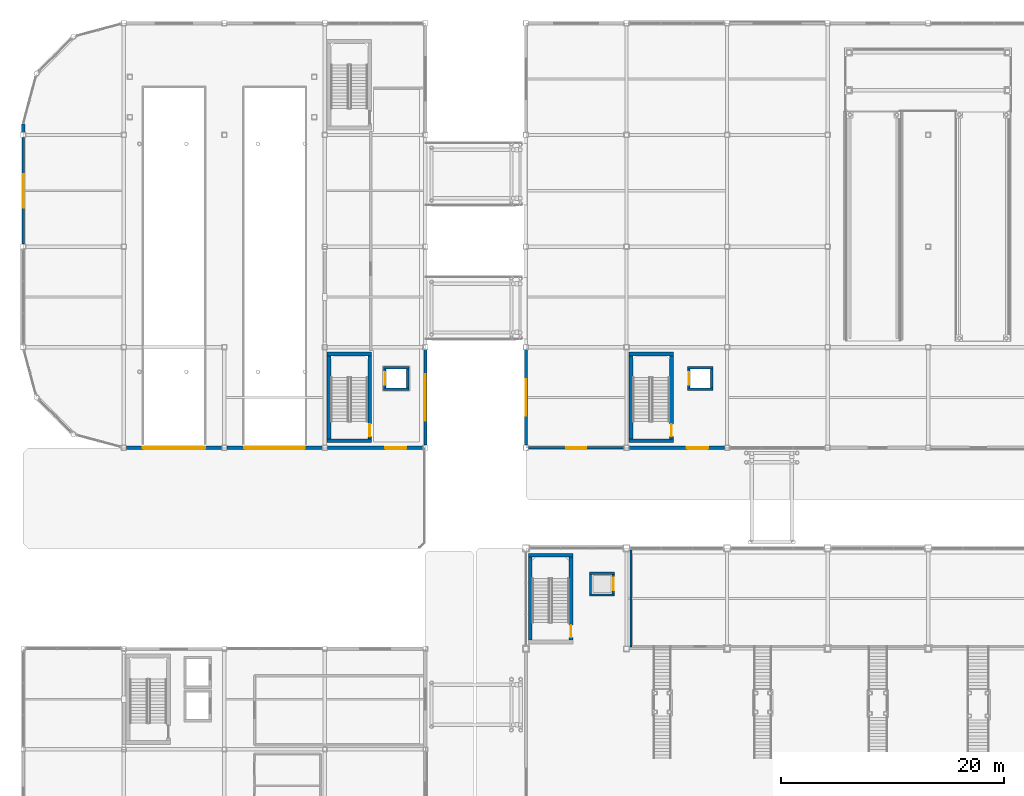
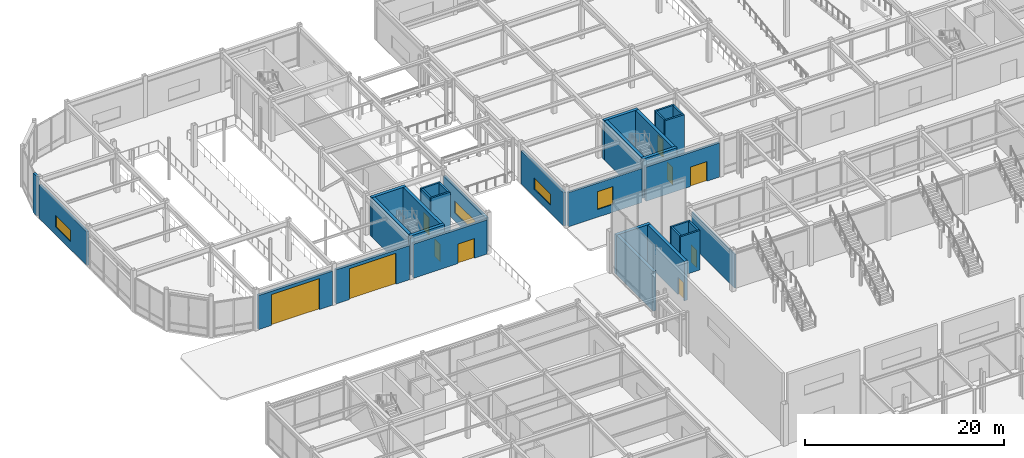
# One storey, part 87 of 123: 33 walls, 10 doors, 4 windows, 14 openings.
"""IFC4 building model written with IfcOpenShell, lengths in metres."""

from ifc_helpers import new_model, si_unit, direction, frame, frame_2d, origin, place, context, subcontext, project, spatial, rectangle, extrude, material, layer, layer_set, type_object, element, fill, save


model = new_model("IFC4")

# Units and contexts
model_context = context("Model", 3, precision=1e-05, world=origin(), true_north=direction((0.0, 1.0)))
body_context = subcontext(model_context, "Body", "Model", "MODEL_VIEW")
ifc_project = project(units=[si_unit("LENGTHUNIT", "METRE"), si_unit("AREAUNIT", "SQUARE_METRE"), si_unit("VOLUMEUNIT", "CUBIC_METRE"), si_unit("PLANEANGLEUNIT", "RADIAN"), si_unit("MASSUNIT", "GRAM", prefix="KILO")], contexts=[model_context])

# Site, building, storey
site_placement = place(None, origin())
site = spatial("IfcSite", under=ifc_project, at=site_placement, CompositionType="ELEMENT")
building_placement = place(site_placement, origin())
building = spatial("IfcBuilding", under=site, at=building_placement, Name="Suzunagisa Mobility Hub", CompositionType="ELEMENT")
storey_placement = place(building_placement, origin())
storey = spatial("IfcBuildingStorey", under=building, at=storey_placement, Name="L00", CompositionType="ELEMENT", Elevation=0.0)

# Wall, opening, window
ifc_material_1 = material(Name="Porcelain-Faced Insulated Concrete C30/37 Wall", Category="concrete")
ifc_layer_1 = layer(ifc_material_1, 0.260009765625)
ifc_layer_set_1 = layer_set([ifc_layer_1], Name="Porcelain-Faced Insulated Concrete C30/37 Wall")
wall_type_1 = type_object("IfcWallType", Name="Exterior Wall EW-03 260mm", PredefinedType="SOLIDWALL", material=ifc_layer_set_1)
wall_1_placement = place(storey_placement, frame((0.0, 107.77490234375, 0.0), z_axis=(0.0, 0.0, 1.0), x_axis=(0.0, -1.0, 0.0)))
wall_1 = element("IfcWall", 1, at=wall_1_placement, inside=storey, type_object=wall_type_1, Name="L00 Exterior Facade Wall EW-106", PredefinedType="SOLIDWALL", context=body_context, shape_type="SweptSolid", body=[
    extrude(rectangle(XDim=9.5498046875, YDim=0.260009765625, at=frame_2d((4.77490234375, 0.0))), origin(), (0.0, 0.0, 1.0), 4.139892578125),
])
opening_1_placement = place(wall_1_placement, frame((3.27490234375, 0.0, 0.949951171875)))
opening_1 = element("IfcOpeningElement", 2, at=opening_1_placement, cuts=wall_1, Name="Opening WN-09", PredefinedType="OPENING", context=body_context, shape_type="SweptSolid", body=[
    extrude(rectangle(XDim=3.0, YDim=1.39990234375, at=frame_2d((1.5, 0.699951171875))), frame((0.0, 0.14111328125, 0.0), z_axis=(0.0, -1.0, 0.0), x_axis=(1.0, 0.0, 0.0)), (0.0, 0.0, 1.0), 0.281982421875),
])
ifc_material_2 = material(Name="Thermally Broken Anodized Aluminum and Low-E Double Glazing", Category="aluminium")
window_type_1 = type_object("IfcWindowType", Name="Aluminum Window WN-09 3000x1400", PartitioningType="SINGLE_PANEL", PredefinedType="WINDOW", material=ifc_material_2)
window_1_placement = place(opening_1_placement, origin())
window_1 = element("IfcWindow", 3, at=window_1_placement, inside=storey, type_object=window_type_1, Name="L00 Scheduled Facade Window WN-29", OverallHeight=1.39990234375, OverallWidth=3.0, PartitioningType="SINGLE_PANEL", PredefinedType="WINDOW", context=body_context, shape_type="SweptSolid", body=[
    extrude(rectangle(XDim=3.0, YDim=1.39990234375, at=frame_2d((1.5, 0.699951171875))), frame((0.0, 0.030029296875, 0.0), z_axis=(0.0, -1.0, 0.0), x_axis=(1.0, 0.0, 0.0)), (0.0, 0.0, 1.0), 0.06005859375),
])
fill(opening_1, window_1)

wall_2_placement = place(storey_placement, frame((45.22509765625, 80.0, 0.0), z_axis=(0.0, 0.0, 1.0), x_axis=(1.0, 0.0, 0.0)))
wall_2 = element("IfcWall", 4, at=wall_2_placement, inside=storey, type_object=wall_type_1, Name="L00 Exterior Facade Wall EW-162", PredefinedType="SOLIDWALL", context=body_context, shape_type="SweptSolid", body=[
    extrude(rectangle(XDim=8.5498046875, YDim=0.260009765625, at=frame_2d((4.27490234375, 0.0))), origin(), (0.0, 0.0, 1.0), 4.18994140625),
])
opening_2_placement = place(wall_2_placement, frame((3.375, 0.0, 0.949951171875)))
opening_2 = element("IfcOpeningElement", 5, at=opening_2_placement, cuts=wall_2, Name="Opening WN-13", PredefinedType="OPENING", context=body_context, shape_type="SweptSolid", body=[
    extrude(rectangle(XDim=1.800048828125, YDim=2.199951171875, at=frame_2d((0.89990234375, 1.10009765625))), frame((0.0, 0.14111328125, 0.0), z_axis=(0.0, -1.0, 0.0), x_axis=(1.0, 0.0, 0.0)), (0.0, 0.0, 1.0), 0.281982421875),
])
window_type_2 = type_object("IfcWindowType", Name="Aluminum Window WN-13 1800x2200", PartitioningType="SINGLE_PANEL", PredefinedType="WINDOW", material=ifc_material_2)
window_2_placement = place(opening_2_placement, origin())
window_2 = element("IfcWindow", 6, at=window_2_placement, inside=storey, type_object=window_type_2, Name="L00 Scheduled Facade Window WN-39", OverallHeight=2.199951171875, OverallWidth=1.800048828125, PartitioningType="SINGLE_PANEL", PredefinedType="WINDOW", context=body_context, shape_type="SweptSolid", body=[
    extrude(rectangle(XDim=1.800048828125, YDim=2.199951171875, at=frame_2d((0.89990234375, 1.10009765625))), frame((0.0, 0.030029296875, 0.0), z_axis=(0.0, -1.0, 0.0), x_axis=(1.0, 0.0, 0.0)), (0.0, 0.0, 1.0), 0.06005859375),
])
fill(opening_2, window_2)

wall_3_placement = place(storey_placement, frame((45.0, 88.77490234375, 0.0), z_axis=(0.0, 0.0, 1.0), x_axis=(0.0, -1.0, 0.0)))
wall_3 = element("IfcWall", 7, at=wall_3_placement, inside=storey, type_object=wall_type_1, Name="L00 Exterior Facade Wall EW-178", PredefinedType="SOLIDWALL", context=body_context, shape_type="SweptSolid", body=[
    extrude(rectangle(XDim=8.5498046875, YDim=0.260009765625, at=frame_2d((4.27490234375, 0.0))), origin(), (0.0, 0.0, 1.0), 4.090087890625),
])
opening_3_placement = place(wall_3_placement, frame((2.625, 0.0, 0.949951171875)))
opening_3 = element("IfcOpeningElement", 8, at=opening_3_placement, cuts=wall_3, Name="Opening WN-19", PredefinedType="OPENING", context=body_context, shape_type="SweptSolid", body=[
    extrude(rectangle(XDim=3.300048828125, YDim=1.39990234375, at=frame_2d((1.64990234375, 0.699951171875))), frame((0.0, 0.14111328125, 0.0), z_axis=(0.0, -1.0, 0.0), x_axis=(1.0, 0.0, 0.0)), (0.0, 0.0, 1.0), 0.281982421875),
])
window_type_3 = type_object("IfcWindowType", Name="Aluminum Window WN-19 3300x1400", PartitioningType="SINGLE_PANEL", PredefinedType="WINDOW", material=ifc_material_2)
window_3_placement = place(opening_3_placement, origin())
window_3 = element("IfcWindow", 9, at=window_3_placement, inside=storey, type_object=window_type_3, Name="L00 Scheduled Facade Window WN-52", OverallHeight=1.39990234375, OverallWidth=3.300048828125, PartitioningType="SINGLE_PANEL", PredefinedType="WINDOW", context=body_context, shape_type="SweptSolid", body=[
    extrude(rectangle(XDim=3.300048828125, YDim=1.39990234375, at=frame_2d((1.64990234375, 0.699951171875))), frame((0.0, 0.030029296875, 0.0), z_axis=(0.0, -1.0, 0.0), x_axis=(1.0, 0.0, 0.0)), (0.0, 0.0, 1.0), 0.06005859375),
])
fill(opening_3, window_3)

# Wall, opening, door
ifc_material_3 = material(Name="Insulated Precast Concrete C35/45 Panel", Category="concrete")
ifc_layer_2 = layer(ifc_material_3, 0.320068359375)
ifc_layer_set_2 = layer_set([ifc_layer_2], Name="Insulated Precast Concrete C35/45 Panel")
wall_type_2 = type_object("IfcWallType", Name="Exterior Wall EW-07 320mm", PredefinedType="SOLIDWALL", material=ifc_layer_set_2)
wall_4_placement = place(storey_placement, frame((9.22509765625, 80.0, 0.0), z_axis=(0.0, 0.0, 1.0), x_axis=(1.0, 0.0, 0.0)))
wall_4 = element("IfcWall", 10, at=wall_4_placement, inside=storey, type_object=wall_type_2, Name="L00 Vehicle Ramp Portal Wall 98", PredefinedType="SOLIDWALL", context=body_context, shape_type="SweptSolid", body=[
    extrude(rectangle(XDim=8.5498046875, YDim=0.320068359375, at=frame_2d((4.27490234375, 0.0))), origin(), (0.0, 0.0, 1.0), 4.18994140625),
])
opening_4_placement = place(wall_4_placement, frame((7.0751953125, 0.0, 0.0), z_axis=(0.0, 0.0, 1.0), x_axis=(-1.0, 0.0, 0.0)))
opening_4 = element("IfcOpeningElement", 11, at=opening_4_placement, cuts=wall_4, Name="Opening VG-01", PredefinedType="OPENING", context=body_context, shape_type="SweptSolid", body=[
    extrude(rectangle(XDim=5.60009765625, YDim=3.800048828125, at=frame_2d((2.800048828125, 1.89990234375))), frame((0.0, 0.1708984375, 0.0), z_axis=(0.0, -1.0, 0.0), x_axis=(1.0, 0.0, 0.0)), (0.0, 0.0, 1.0), 0.342041015625),
])
ifc_material_4 = material(Name="Motorized Anodized Aluminum Insulated Roller Shutter", Category="aluminium")
door_type_1 = type_object("IfcDoorType", Name="Vehicle Ramp Portal Roller Shutter VG-01 5600x3800", OperationType="ROLLINGUP", PredefinedType="DOOR", material=ifc_material_4)
door_1_placement = place(opening_4_placement, origin())
door_1 = element("IfcDoor", 12, at=door_1_placement, inside=storey, type_object=door_type_1, Name="Vehicle Ramp Grade Portal Roller Shutter VG-01", OperationType="SINGLE_SWING_LEFT", OverallHeight=3.800048828125, OverallWidth=5.60009765625, PredefinedType="DOOR", context=body_context, shape_type="SweptSolid", body=[
    extrude(rectangle(XDim=5.60009765625, YDim=3.800048828125, at=frame_2d((2.800048828125, 1.89990234375))), frame((0.0, 0.02490234375, 0.0), z_axis=(0.0, -1.0, 0.0), x_axis=(1.0, 0.0, 0.0)), (0.0, 0.0, 1.0), 0.050048828125),
])
fill(opening_4, door_1)

wall_5_placement = place(storey_placement, frame((18.22509765625, 80.0, 0.0), z_axis=(0.0, 0.0, 1.0), x_axis=(1.0, 0.0, 0.0)))
wall_5 = element("IfcWall", 13, at=wall_5_placement, inside=storey, type_object=wall_type_2, Name="L00 Vehicle Ramp Portal Wall 99", PredefinedType="SOLIDWALL", context=body_context, shape_type="SweptSolid", body=[
    extrude(rectangle(XDim=8.5498046875, YDim=0.320068359375, at=frame_2d((4.27490234375, 0.0))), origin(), (0.0, 0.0, 1.0), 4.18994140625),
])
opening_5_placement = place(wall_5_placement, frame((6.974853515625, 0.0, 0.0), z_axis=(0.0, 0.0, 1.0), x_axis=(-1.0, 0.0, 0.0)))
opening_5 = element("IfcOpeningElement", 14, at=opening_5_placement, cuts=wall_5, Name="Opening VG-02", PredefinedType="OPENING", context=body_context, shape_type="SweptSolid", body=[
    extrude(rectangle(XDim=5.39990234375, YDim=3.800048828125, at=frame_2d((2.699951171875, 1.89990234375))), frame((0.0, 0.1708984375, 0.0), z_axis=(0.0, -1.0, 0.0), x_axis=(1.0, 0.0, 0.0)), (0.0, 0.0, 1.0), 0.342041015625),
])
door_type_2 = type_object("IfcDoorType", Name="Vehicle Ramp Portal Roller Shutter VG-02 5400x3800", OperationType="ROLLINGUP", PredefinedType="DOOR", material=ifc_material_4)
door_2_placement = place(opening_5_placement, origin())
door_2 = element("IfcDoor", 15, at=door_2_placement, inside=storey, type_object=door_type_2, Name="Vehicle Ramp Grade Portal Roller Shutter VG-02", OperationType="SINGLE_SWING_LEFT", OverallHeight=3.800048828125, OverallWidth=5.39990234375, PredefinedType="DOOR", context=body_context, shape_type="SweptSolid", body=[
    extrude(rectangle(XDim=5.39990234375, YDim=3.800048828125, at=frame_2d((2.699951171875, 1.89990234375))), frame((0.0, 0.02490234375, 0.0), z_axis=(0.0, -1.0, 0.0), x_axis=(1.0, 0.0, 0.0)), (0.0, 0.0, 1.0), 0.050048828125),
])
fill(opening_5, door_2)

# Wall, opening, window
ifc_layer_3 = layer(ifc_material_1, 0.280029296875)
ifc_layer_set_3 = layer_set([ifc_layer_3], Name="Porcelain-Faced Insulated Concrete C30/37 Wall")
wall_type_3 = type_object("IfcWallType", Name="Exterior Wall EW-08 280mm", PredefinedType="SOLIDWALL", material=ifc_layer_set_3)
wall_6_placement = place(storey_placement, frame((36.0, 80.22509765625, 0.0), z_axis=(0.0, 0.0, 1.0), x_axis=(0.0, 1.0, 0.0)))
wall_6 = element("IfcWall", 16, at=wall_6_placement, inside=storey, type_object=wall_type_3, Name="L00 Exterior Facade Wall EW-101", PredefinedType="SOLIDWALL", context=body_context, shape_type="SweptSolid", body=[
    extrude(rectangle(XDim=8.5498046875, YDim=0.280029296875, at=frame_2d((4.27490234375, 0.0))), origin(), (0.0, 0.0, 1.0), 4.139892578125),
])
opening_6_placement = place(wall_6_placement, frame((2.175048828125, 0.0, 0.949951171875)))
opening_6 = element("IfcOpeningElement", 17, at=opening_6_placement, cuts=wall_6, Name="Opening WN-22", PredefinedType="OPENING", context=body_context, shape_type="SweptSolid", body=[
    extrude(rectangle(XDim=4.199951171875, YDim=1.5, at=frame_2d((2.10009765625, 0.75))), frame((0.0, 0.15087890625, 0.0), z_axis=(0.0, -1.0, 0.0), x_axis=(1.0, 0.0, 0.0)), (0.0, 0.0, 1.0), 0.302001953125),
])
window_type_4 = type_object("IfcWindowType", Name="Aluminum Window WN-22 4200x1500", PartitioningType="SINGLE_PANEL", PredefinedType="WINDOW", material=ifc_material_2)
window_4_placement = place(opening_6_placement, origin())
window_4 = element("IfcWindow", 18, at=window_4_placement, inside=storey, type_object=window_type_4, Name="L00 Scheduled Facade Window WN-25", OverallHeight=1.5, OverallWidth=4.199951171875, PartitioningType="SINGLE_PANEL", PredefinedType="WINDOW", context=body_context, shape_type="SweptSolid", body=[
    extrude(rectangle(XDim=4.199951171875, YDim=1.5, at=frame_2d((2.10009765625, 0.75))), frame((0.0, 0.030029296875, 0.0), z_axis=(0.0, -1.0, 0.0), x_axis=(1.0, 0.0, 0.0)), (0.0, 0.0, 1.0), 0.06005859375),
])
fill(opening_6, window_4)

# Wall
wall_7_placement = place(storey_placement, frame((0.0, 109.0, 0.0), z_axis=(0.0, 0.0, 1.0), x_axis=(0.0, -1.0, 0.0)))
element("IfcWall", 19, at=wall_7_placement, inside=storey, type_object=wall_type_3, Name="L00 Exterior Facade Wall EW-105", PredefinedType="SOLIDWALL", context=body_context, shape_type="SweptSolid", body=[
    extrude(rectangle(XDim=0.77490234375, YDim=0.280029296875, at=frame_2d((0.387451171875, 0.0))), origin(), (0.0, 0.0, 1.0), 4.840087890625),
])

# Wall, opening, door
ifc_layer_4 = layer(ifc_material_3, 0.300048828125)
ifc_layer_set_4 = layer_set([ifc_layer_4], Name="Insulated Precast Concrete C35/45 Panel")
wall_type_4 = type_object("IfcWallType", Name="Exterior Wall EW-09 300mm", PredefinedType="SOLIDWALL", material=ifc_layer_set_4)
wall_8_placement = place(storey_placement, frame((27.22509765625, 80.0, 0.0), z_axis=(0.0, 0.0, 1.0), x_axis=(1.0, 0.0, 0.0)))
wall_8 = element("IfcWall", 20, at=wall_8_placement, inside=storey, type_object=wall_type_4, Name="L00 Entrance Portal Wall 100", PredefinedType="SOLIDWALL", context=body_context, shape_type="SweptSolid", body=[
    extrude(rectangle(XDim=8.5498046875, YDim=0.300048828125, at=frame_2d((4.27490234375, 0.0))), origin(), (0.0, 0.0, 1.0), 4.18994140625),
])
opening_7_placement = place(wall_8_placement, frame((7.074951171875, 0.0, 0.0), z_axis=(0.0, 0.0, 1.0), x_axis=(-1.0, 0.0, 0.0)))
opening_7 = element("IfcOpeningElement", 21, at=opening_7_placement, cuts=wall_8, Name="Opening ED-07", PredefinedType="OPENING", context=body_context, shape_type="SweptSolid", body=[
    extrude(rectangle(XDim=1.89990234375, YDim=2.39990234375, at=frame_2d((0.949951171875, 1.199951171875))), frame((0.0, 0.1611328125, 0.0), z_axis=(0.0, -1.0, 0.0), x_axis=(1.0, 0.0, 0.0)), (0.0, 0.0, 1.0), 0.322021484375),
])
ifc_material_5 = material(Name="Anodized Aluminum and Tempered Safety Glass", Category="aluminium")
door_type_3 = type_object("IfcDoorType", Name="Exterior Glazed Aluminum Door ED-07 1900x2400", OperationType="DOUBLE_DOOR_SINGLE_SWING", PredefinedType="DOOR", material=ifc_material_5)
door_3_placement = place(opening_7_placement, origin())
door_3 = element("IfcDoor", 22, at=door_3_placement, inside=storey, type_object=door_type_3, Name="L00 Pedestrian Final Exit Door EX-17", OperationType="SINGLE_SWING_LEFT", OverallHeight=2.39990234375, OverallWidth=1.89990234375, PredefinedType="DOOR", context=body_context, shape_type="SweptSolid", body=[
    extrude(rectangle(XDim=1.89990234375, YDim=2.39990234375, at=frame_2d((0.949951171875, 1.199951171875))), frame((0.0, 0.02490234375, 0.0), z_axis=(0.0, -1.0, 0.0), x_axis=(1.0, 0.0, 0.0)), (0.0, 0.0, 1.0), 0.050048828125),
])
fill(opening_7, door_3)

wall_9_placement = place(storey_placement, frame((54.22509765625, 80.0, 0.0), z_axis=(0.0, 0.0, 1.0), x_axis=(1.0, 0.0, 0.0)))
wall_9 = element("IfcWall", 23, at=wall_9_placement, inside=storey, type_object=wall_type_4, Name="L00 Entrance Portal Wall 163", PredefinedType="SOLIDWALL", context=body_context, shape_type="SweptSolid", body=[
    extrude(rectangle(XDim=8.5498046875, YDim=0.300048828125, at=frame_2d((4.27490234375, 0.0))), origin(), (0.0, 0.0, 1.0), 4.18994140625),
])
opening_8_placement = place(wall_9_placement, frame((7.074951171875, 0.0, 0.0), z_axis=(0.0, 0.0, 1.0), x_axis=(-1.0, 0.0, 0.0)))
opening_8 = element("IfcOpeningElement", 24, at=opening_8_placement, cuts=wall_9, Name="Opening ED-07", PredefinedType="OPENING", context=body_context, shape_type="SweptSolid", body=[
    extrude(rectangle(XDim=1.89990234375, YDim=2.39990234375, at=frame_2d((0.949951171875, 1.199951171875))), frame((0.0, 0.1611328125, 0.0), z_axis=(0.0, -1.0, 0.0), x_axis=(1.0, 0.0, 0.0)), (0.0, 0.0, 1.0), 0.322021484375),
])
door_4_placement = place(opening_8_placement, origin())
door_4 = element("IfcDoor", 25, at=door_4_placement, inside=storey, type_object=door_type_3, Name="L00 Pedestrian Final Exit Door EX-18", OperationType="SINGLE_SWING_LEFT", OverallHeight=2.39990234375, OverallWidth=1.89990234375, PredefinedType="DOOR", context=body_context, shape_type="SweptSolid", body=[
    extrude(rectangle(XDim=1.89990234375, YDim=2.39990234375, at=frame_2d((0.949951171875, 1.199951171875))), frame((0.0, 0.02490234375, 0.0), z_axis=(0.0, -1.0, 0.0), x_axis=(1.0, 0.0, 0.0)), (0.0, 0.0, 1.0), 0.050048828125),
])
fill(opening_8, door_4)

ifc_material_6 = material(Name="Fire-Rated Gypsum Stud Partition", Category="gypsum")
ifc_layer_5 = layer(ifc_material_6, 0.2099609375)
ifc_layer_set_5 = layer_set([ifc_layer_5], Name="Fire-Rated Gypsum Stud Partition")
wall_type_5 = type_object("IfcWallType", Name="Interior Wall IW-03 210mm", PredefinedType="PARTITIONING", material=ifc_layer_set_5)
wall_10_placement = place(storey_placement, frame((52.824951171875, 66.929931640625, 0.0), z_axis=(0.0, 0.0, 1.0), x_axis=(0.0, 1.0, 0.0)))
wall_10 = element("IfcWall", 26, at=wall_10_placement, inside=storey, type_object=wall_type_5, Name="L00 Lift LF-03 Shaft Front Wall", PredefinedType="PARTITIONING", context=body_context, shape_type="SweptSolid", body=[
    extrude(rectangle(XDim=1.739990234375, YDim=0.2099609375, at=frame_2d((0.8701171875, 0.0))), origin(), (0.0, 0.0, 1.0), 4.85009765625),
])
opening_9_placement = place(wall_10_placement, frame((0.320068359375, 0.0, 0.0)))
opening_9 = element("IfcOpeningElement", 27, at=opening_9_placement, cuts=wall_10, Name="Opening LD-01", PredefinedType="OPENING", context=body_context, shape_type="SweptSolid", body=[
    extrude(rectangle(XDim=1.10009765625, YDim=2.14990234375, at=frame_2d((0.550048828125, 1.074951171875))), frame((0.0, 0.115966796875, 0.0), z_axis=(0.0, -1.0, 0.0), x_axis=(1.0, 0.0, 0.0)), (0.0, 0.0, 1.0), 0.23193359375),
])
ifc_material_7 = material(Name="Brushed Stainless Steel SUS304", Category="metal")
door_type_4 = type_object("IfcDoorType", Name="Lift Landing Sliding Door LD-01 1100x2150", OperationType="SLIDING_TO_LEFT", PredefinedType="DOOR", material=ifc_material_7)
door_5_placement = place(opening_9_placement, origin())
door_5 = element("IfcDoor", 28, at=door_5_placement, inside=storey, type_object=door_type_4, Name="L00 Lift LF-03 Sliding Landing Door", OperationType="SLIDING_TO_LEFT", OverallHeight=2.14990234375, OverallWidth=1.10009765625, PredefinedType="DOOR", context=body_context, shape_type="SweptSolid", body=[
    extrude(rectangle(XDim=1.10009765625, YDim=2.14990234375, at=frame_2d((0.550048828125, 1.074951171875))), frame((0.0, 0.02490234375, 0.0), z_axis=(0.0, -1.0, 0.0), x_axis=(1.0, 0.0, 0.0)), (0.0, 0.0, 1.0), 0.050048828125),
])
fill(opening_9, door_5)

# Walls
wall_11_placement = place(storey_placement, frame((50.77490234375, 66.929931640625, 0.0), z_axis=(0.0, 0.0, 1.0), x_axis=(0.0, 1.0, 0.0)))
element("IfcWall", 29, at=wall_11_placement, inside=storey, type_object=wall_type_5, Name="L00 Lift LF-03 Shaft Back Wall", PredefinedType="PARTITIONING", context=body_context, shape_type="SweptSolid", body=[
    extrude(rectangle(XDim=1.739990234375, YDim=0.2099609375, at=frame_2d((0.8701171875, 0.0))), origin(), (0.0, 0.0, 1.0), 4.85009765625),
])
for number, where, z_axis, x_axis, name in (
    (30, (50.669921875, 66.824951171875, 0.0), (0.0, 0.0, 1.0), (1.0, 0.0, 0.0), "L00 Lift LF-03 Shaft South Wall"),
    (31, (50.669921875, 68.77490234375, 0.0), (0.0, 0.0, 1.0), (1.0, 0.0, 0.0), "L00 Lift LF-03 Shaft North Wall"),
):
    element("IfcWall", number, at=place(storey_placement, frame(where, z_axis=z_axis, x_axis=x_axis)), inside=storey, type_object=wall_type_5, Name=name, PredefinedType="PARTITIONING", context=body_context, shape_type="SweptSolid", body=[
        extrude(rectangle(XDim=2.260009765625, YDim=0.2099609375, at=frame_2d((1.1298828125, 0.0))), origin(), (0.0, 0.0, 1.0), 4.85009765625),
    ])

# Wall, opening, door
wall_12_placement = place(storey_placement, frame((32.375, 85.330078125, 0.0), z_axis=(0.0, 0.0, 1.0), x_axis=(0.0, 1.0, 0.0)))
wall_12 = element("IfcWall", 32, at=wall_12_placement, inside=storey, type_object=wall_type_5, Name="L00 Lift LF-09 Shaft Front Wall", PredefinedType="PARTITIONING", context=body_context, shape_type="SweptSolid", body=[
    extrude(rectangle(XDim=1.739990234375, YDim=0.2099609375, at=frame_2d((0.8701171875, 0.0))), origin(), (0.0, 0.0, 1.0), 4.840087890625),
])
opening_10_placement = place(wall_12_placement, frame((0.320068359375, 0.0, 0.0)))
opening_10 = element("IfcOpeningElement", 33, at=opening_10_placement, cuts=wall_12, Name="Opening LD-01", PredefinedType="OPENING", context=body_context, shape_type="SweptSolid", body=[
    extrude(rectangle(XDim=1.10009765625, YDim=2.14990234375, at=frame_2d((0.550048828125, 1.074951171875))), frame((0.0, 0.115966796875, 0.0), z_axis=(0.0, -1.0, 0.0), x_axis=(1.0, 0.0, 0.0)), (0.0, 0.0, 1.0), 0.23193359375),
])
door_6_placement = place(opening_10_placement, origin())
door_6 = element("IfcDoor", 34, at=door_6_placement, inside=storey, type_object=door_type_4, Name="L00 Lift LF-09 Sliding Landing Door", OperationType="SLIDING_TO_LEFT", OverallHeight=2.14990234375, OverallWidth=1.10009765625, PredefinedType="DOOR", context=body_context, shape_type="SweptSolid", body=[
    extrude(rectangle(XDim=1.10009765625, YDim=2.14990234375, at=frame_2d((0.550048828125, 1.074951171875))), frame((0.0, 0.02490234375, 0.0), z_axis=(0.0, -1.0, 0.0), x_axis=(1.0, 0.0, 0.0)), (0.0, 0.0, 1.0), 0.050048828125),
])
fill(opening_10, door_6)

# Walls
wall_13_placement = place(storey_placement, frame((34.425048828125, 85.330078125, 0.0), z_axis=(0.0, 0.0, 1.0), x_axis=(0.0, 1.0, 0.0)))
element("IfcWall", 35, at=wall_13_placement, inside=storey, type_object=wall_type_5, Name="L00 Lift LF-09 Shaft Back Wall", PredefinedType="PARTITIONING", context=body_context, shape_type="SweptSolid", body=[
    extrude(rectangle(XDim=1.739990234375, YDim=0.2099609375, at=frame_2d((0.8701171875, 0.0))), origin(), (0.0, 0.0, 1.0), 4.840087890625),
])
for number, where, z_axis, x_axis, name in (
    (36, (32.27001953125, 85.22509765625, 0.0), (0.0, 0.0, 1.0), (1.0, 0.0, 0.0), "L00 Lift LF-09 Shaft South Wall"),
    (37, (32.27001953125, 87.175048828125, 0.0), (0.0, 0.0, 1.0), (1.0, 0.0, 0.0), "L00 Lift LF-09 Shaft North Wall"),
):
    element("IfcWall", number, at=place(storey_placement, frame(where, z_axis=z_axis, x_axis=x_axis)), inside=storey, type_object=wall_type_5, Name=name, PredefinedType="PARTITIONING", context=body_context, shape_type="SweptSolid", body=[
        extrude(rectangle(XDim=2.260009765625, YDim=0.2099609375, at=frame_2d((1.1298828125, 0.0))), origin(), (0.0, 0.0, 1.0), 4.840087890625),
    ])

# Wall, opening, door
wall_14_placement = place(storey_placement, frame((59.574951171875, 85.330078125, 0.0), z_axis=(0.0, 0.0, 1.0), x_axis=(0.0, 1.0, 0.0)))
wall_14 = element("IfcWall", 38, at=wall_14_placement, inside=storey, type_object=wall_type_5, Name="L00 Lift LF-04 Shaft Front Wall", PredefinedType="PARTITIONING", context=body_context, shape_type="SweptSolid", body=[
    extrude(rectangle(XDim=1.739990234375, YDim=0.2099609375, at=frame_2d((0.8701171875, 0.0))), origin(), (0.0, 0.0, 1.0), 4.840087890625),
])
opening_11_placement = place(wall_14_placement, frame((0.320068359375, 0.0, 0.0)))
opening_11 = element("IfcOpeningElement", 39, at=opening_11_placement, cuts=wall_14, Name="Opening LD-01", PredefinedType="OPENING", context=body_context, shape_type="SweptSolid", body=[
    extrude(rectangle(XDim=1.10009765625, YDim=2.14990234375, at=frame_2d((0.550048828125, 1.074951171875))), frame((0.0, 0.115966796875, 0.0), z_axis=(0.0, -1.0, 0.0), x_axis=(1.0, 0.0, 0.0)), (0.0, 0.0, 1.0), 0.23193359375),
])
door_7_placement = place(opening_11_placement, origin())
door_7 = element("IfcDoor", 40, at=door_7_placement, inside=storey, type_object=door_type_4, Name="L00 Lift LF-04 Sliding Landing Door", OperationType="SLIDING_TO_LEFT", OverallHeight=2.14990234375, OverallWidth=1.10009765625, PredefinedType="DOOR", context=body_context, shape_type="SweptSolid", body=[
    extrude(rectangle(XDim=1.10009765625, YDim=2.14990234375, at=frame_2d((0.550048828125, 1.074951171875))), frame((0.0, 0.02490234375, 0.0), z_axis=(0.0, -1.0, 0.0), x_axis=(1.0, 0.0, 0.0)), (0.0, 0.0, 1.0), 0.050048828125),
])
fill(opening_11, door_7)

# Walls
wall_15_placement = place(storey_placement, frame((61.625, 85.330078125, 0.0), z_axis=(0.0, 0.0, 1.0), x_axis=(0.0, 1.0, 0.0)))
element("IfcWall", 41, at=wall_15_placement, inside=storey, type_object=wall_type_5, Name="L00 Lift LF-04 Shaft Back Wall", PredefinedType="PARTITIONING", context=body_context, shape_type="SweptSolid", body=[
    extrude(rectangle(XDim=1.739990234375, YDim=0.2099609375, at=frame_2d((0.8701171875, 0.0))), origin(), (0.0, 0.0, 1.0), 4.840087890625),
])
for number, where, z_axis, x_axis, name in (
    (42, (59.469970703125, 85.22509765625, 0.0), (0.0, 0.0, 1.0), (1.0, 0.0, 0.0), "L00 Lift LF-04 Shaft South Wall"),
    (43, (59.469970703125, 87.175048828125, 0.0), (0.0, 0.0, 1.0), (1.0, 0.0, 0.0), "L00 Lift LF-04 Shaft North Wall"),
):
    element("IfcWall", number, at=place(storey_placement, frame(where, z_axis=z_axis, x_axis=x_axis)), inside=storey, type_object=wall_type_5, Name=name, PredefinedType="PARTITIONING", context=body_context, shape_type="SweptSolid", body=[
        extrude(rectangle(XDim=2.260009765625, YDim=0.2099609375, at=frame_2d((1.1298828125, 0.0))), origin(), (0.0, 0.0, 1.0), 4.840087890625),
    ])
ifc_material_8 = material(Name="Concrete C35/45", Category="concrete")
ifc_layer_6 = layer(ifc_material_8, 0.35009765625)
ifc_layer_set_6 = layer_set([ifc_layer_6], Name="Concrete C35/45")
wall_type_6 = type_object("IfcWallType", Name="Interior Wall IW-04 350mm", PredefinedType="SHEAR", material=ifc_layer_set_6)
wall_16_placement = place(storey_placement, frame((45.2099609375, 70.375, 0.0), z_axis=(0.0, 0.0, 1.0), x_axis=(1.0, 0.0, 0.0)))
element("IfcWall", 44, at=wall_16_placement, inside=storey, type_object=wall_type_6, Name="L00 Core C2 Shear Wall SW-82", PredefinedType="SHEAR", context=body_context, shape_type="SweptSolid", body=[
    extrude(rectangle(XDim=3.97998046875, YDim=0.35009765625, at=frame_2d((1.989990234375, 0.0))), origin(), (0.0, 0.0, 1.0), 4.85009765625),
])
wall_17_placement = place(storey_placement, frame((45.385009765625, 62.800048828125, 0.0), z_axis=(0.0, 0.0, 1.0), x_axis=(0.0, 1.0, 0.0)))
element("IfcWall", 45, at=wall_17_placement, inside=storey, type_object=wall_type_6, Name="L00 Core C2 Shear Wall SW-83", PredefinedType="SHEAR", context=body_context, shape_type="SweptSolid", body=[
    extrude(rectangle(XDim=7.39990234375, YDim=0.35009765625, at=frame_2d((3.699951171875, 0.0))), origin(), (0.0, 0.0, 1.0), 4.85009765625),
])

# Wall, opening, door
wall_18_placement = place(storey_placement, frame((49.014892578125, 62.800048828125, 0.0), z_axis=(0.0, 0.0, 1.0), x_axis=(0.0, 1.0, 0.0)))
wall_18 = element("IfcWall", 46, at=wall_18_placement, inside=storey, type_object=wall_type_6, Name="L00 Core C2 Shear Wall SW-84", PredefinedType="SHEAR", context=body_context, shape_type="SweptSolid", body=[
    extrude(rectangle(XDim=7.39990234375, YDim=0.35009765625, at=frame_2d((3.699951171875, 0.0))), origin(), (0.0, 0.0, 1.0), 4.85009765625),
])
opening_12_placement = place(wall_18_placement, frame((0.219970703125, 0.0, 0.0)))
opening_12 = element("IfcOpeningElement", 47, at=opening_12_placement, cuts=wall_18, Name="Opening DR-05", PredefinedType="OPENING", context=body_context, shape_type="SweptSolid", body=[
    extrude(rectangle(XDim=1.10009765625, YDim=2.14990234375, at=frame_2d((0.550048828125, 1.074951171875))), frame((0.0, 0.18603515625, 0.0), z_axis=(0.0, -1.0, 0.0), x_axis=(1.0, 0.0, 0.0)), (0.0, 0.0, 1.0), 0.3720703125),
])
ifc_material_9 = material(Name="Fire-Rated Hollow Steel Stair Door", Category="steel")
door_type_5 = type_object("IfcDoorType", Name="Interior Door DR-05 1100x2150", OperationType="SINGLE_SWING_LEFT", PredefinedType="DOOR", material=ifc_material_9)
door_8_placement = place(opening_12_placement, origin())
door_8 = element("IfcDoor", 48, at=door_8_placement, inside=storey, type_object=door_type_5, Name="L00 Core C2 Escape Stair Fire Door SD-20", OperationType="SINGLE_SWING_LEFT", OverallHeight=2.14990234375, OverallWidth=1.10009765625, PredefinedType="DOOR", context=body_context, shape_type="SweptSolid", body=[
    extrude(rectangle(XDim=1.10009765625, YDim=2.14990234375, at=frame_2d((0.550048828125, 1.074951171875))), frame((0.0, 0.02490234375, 0.0), z_axis=(0.0, -1.0, 0.0), x_axis=(1.0, 0.0, 0.0)), (0.0, 0.0, 1.0), 0.050048828125),
])
fill(opening_12, door_8)

# Walls
for number, where, z_axis, x_axis, name in (
    (49, (27.2099609375, 80.625, 0.0), (0.0, 0.0, 1.0), (1.0, 0.0, 0.0), "L00 Core C6 Shear Wall SW-117"),
    (50, (27.2099609375, 88.375, 0.0), (0.0, 0.0, 1.0), (1.0, 0.0, 0.0), "L00 Core C6 Shear Wall SW-118"),
):
    element("IfcWall", number, at=place(storey_placement, frame(where, z_axis=z_axis, x_axis=x_axis)), inside=storey, type_object=wall_type_6, Name=name, PredefinedType="SHEAR", context=body_context, shape_type="SweptSolid", body=[
        extrude(rectangle(XDim=3.97998046875, YDim=0.35009765625, at=frame_2d((1.989990234375, 0.0))), origin(), (0.0, 0.0, 1.0), 4.840087890625),
    ])
wall_19_placement = place(storey_placement, frame((27.385009765625, 80.800048828125, 0.0), z_axis=(0.0, 0.0, 1.0), x_axis=(0.0, 1.0, 0.0)))
element("IfcWall", 51, at=wall_19_placement, inside=storey, type_object=wall_type_6, Name="L00 Core C6 Shear Wall SW-119", PredefinedType="SHEAR", context=body_context, shape_type="SweptSolid", body=[
    extrude(rectangle(XDim=7.39990234375, YDim=0.35009765625, at=frame_2d((3.699951171875, 0.0))), origin(), (0.0, 0.0, 1.0), 4.840087890625),
])

# Wall, opening, door
wall_20_placement = place(storey_placement, frame((31.014892578125, 80.800048828125, 0.0), z_axis=(0.0, 0.0, 1.0), x_axis=(0.0, 1.0, 0.0)))
wall_20 = element("IfcWall", 52, at=wall_20_placement, inside=storey, type_object=wall_type_6, Name="L00 Core C6 Shear Wall SW-120", PredefinedType="SHEAR", context=body_context, shape_type="SweptSolid", body=[
    extrude(rectangle(XDim=7.39990234375, YDim=0.35009765625, at=frame_2d((3.699951171875, 0.0))), origin(), (0.0, 0.0, 1.0), 4.840087890625),
])
opening_13_placement = place(wall_20_placement, frame((0.219970703125, 0.0, 0.0)))
opening_13 = element("IfcOpeningElement", 53, at=opening_13_placement, cuts=wall_20, Name="Opening DR-05", PredefinedType="OPENING", context=body_context, shape_type="SweptSolid", body=[
    extrude(rectangle(XDim=1.10009765625, YDim=2.14990234375, at=frame_2d((0.550048828125, 1.074951171875))), frame((0.0, 0.18603515625, 0.0), z_axis=(0.0, -1.0, 0.0), x_axis=(1.0, 0.0, 0.0)), (0.0, 0.0, 1.0), 0.3720703125),
])
door_9_placement = place(opening_13_placement, origin())
door_9 = element("IfcDoor", 54, at=door_9_placement, inside=storey, type_object=door_type_5, Name="L00 Core C6 Escape Stair Fire Door SD-28", OperationType="SINGLE_SWING_RIGHT", OverallHeight=2.14990234375, OverallWidth=1.10009765625, PredefinedType="DOOR", context=body_context, shape_type="SweptSolid", body=[
    extrude(rectangle(XDim=1.10009765625, YDim=2.14990234375, at=frame_2d((0.550048828125, 1.074951171875))), frame((0.0, 0.02490234375, 0.0), z_axis=(0.0, -1.0, 0.0), x_axis=(1.0, 0.0, 0.0)), (0.0, 0.0, 1.0), 0.050048828125),
])
fill(opening_13, door_9)

# Walls
for number, where, z_axis, x_axis, name in (
    (55, (54.2099609375, 80.625, 0.0), (0.0, 0.0, 1.0), (1.0, 0.0, 0.0), "L00 Core C3 Shear Wall SW-189"),
    (56, (54.2099609375, 88.375, 0.0), (0.0, 0.0, 1.0), (1.0, 0.0, 0.0), "L00 Core C3 Shear Wall SW-190"),
):
    element("IfcWall", number, at=place(storey_placement, frame(where, z_axis=z_axis, x_axis=x_axis)), inside=storey, type_object=wall_type_6, Name=name, PredefinedType="SHEAR", context=body_context, shape_type="SweptSolid", body=[
        extrude(rectangle(XDim=3.97998046875, YDim=0.35009765625, at=frame_2d((1.989990234375, 0.0))), origin(), (0.0, 0.0, 1.0), 4.840087890625),
    ])
wall_21_placement = place(storey_placement, frame((54.385009765625, 80.800048828125, 0.0), z_axis=(0.0, 0.0, 1.0), x_axis=(0.0, 1.0, 0.0)))
element("IfcWall", 57, at=wall_21_placement, inside=storey, type_object=wall_type_6, Name="L00 Core C3 Shear Wall SW-191", PredefinedType="SHEAR", context=body_context, shape_type="SweptSolid", body=[
    extrude(rectangle(XDim=7.39990234375, YDim=0.35009765625, at=frame_2d((3.699951171875, 0.0))), origin(), (0.0, 0.0, 1.0), 4.840087890625),
])

# Wall, opening, door
wall_22_placement = place(storey_placement, frame((58.014892578125, 80.800048828125, 0.0), z_axis=(0.0, 0.0, 1.0), x_axis=(0.0, 1.0, 0.0)))
wall_22 = element("IfcWall", 58, at=wall_22_placement, inside=storey, type_object=wall_type_6, Name="L00 Core C3 Shear Wall SW-192", PredefinedType="SHEAR", context=body_context, shape_type="SweptSolid", body=[
    extrude(rectangle(XDim=7.39990234375, YDim=0.35009765625, at=frame_2d((3.699951171875, 0.0))), origin(), (0.0, 0.0, 1.0), 4.840087890625),
])
opening_14_placement = place(wall_22_placement, frame((0.219970703125, 0.0, 0.0)))
opening_14 = element("IfcOpeningElement", 59, at=opening_14_placement, cuts=wall_22, Name="Opening DR-05", PredefinedType="OPENING", context=body_context, shape_type="SweptSolid", body=[
    extrude(rectangle(XDim=1.10009765625, YDim=2.14990234375, at=frame_2d((0.550048828125, 1.074951171875))), frame((0.0, 0.18603515625, 0.0), z_axis=(0.0, -1.0, 0.0), x_axis=(1.0, 0.0, 0.0)), (0.0, 0.0, 1.0), 0.3720703125),
])
door_10_placement = place(opening_14_placement, origin())
door_10 = element("IfcDoor", 60, at=door_10_placement, inside=storey, type_object=door_type_5, Name="L00 Core C3 Escape Stair Fire Door SD-46", OperationType="SINGLE_SWING_RIGHT", OverallHeight=2.14990234375, OverallWidth=1.10009765625, PredefinedType="DOOR", context=body_context, shape_type="SweptSolid", body=[
    extrude(rectangle(XDim=1.10009765625, YDim=2.14990234375, at=frame_2d((0.550048828125, 1.074951171875))), frame((0.0, 0.02490234375, 0.0), z_axis=(0.0, -1.0, 0.0), x_axis=(1.0, 0.0, 0.0)), (0.0, 0.0, 1.0), 0.050048828125),
])
fill(opening_14, door_10)

# Wall
ifc_material_10 = material(Name="Acoustic Steel-Stud Gypsum Partition", Category="steel")
ifc_layer_7 = layer(ifc_material_10, 0.14501953125)
ifc_layer_set_7 = layer_set([ifc_layer_7], Name="Acoustic Steel-Stud Gypsum Partition")
wall_type_7 = type_object("IfcWallType", Name="Interior Wall IW-06 145mm", PredefinedType="PARTITIONING", material=ifc_layer_set_7)
wall_23_placement = place(storey_placement, frame((54.39990234375, 62.199951171875, 0.0), z_axis=(0.0, 0.0, 1.0), x_axis=(0.0, 1.0, 0.0)))
element("IfcWall", 61, at=wall_23_placement, inside=storey, type_object=wall_type_7, Name="L00 Integrated Transit Ticketing and Information Lounge Partition PW-712", PredefinedType="PARTITIONING", context=body_context, shape_type="SweptSolid", body=[
    extrude(rectangle(XDim=8.635009765625, YDim=0.14501953125, at=frame_2d((4.3173828125, 0.0))), origin(), (0.0, 0.0, 1.0), 4.14990234375),
])

save(model, "model.ifc")
